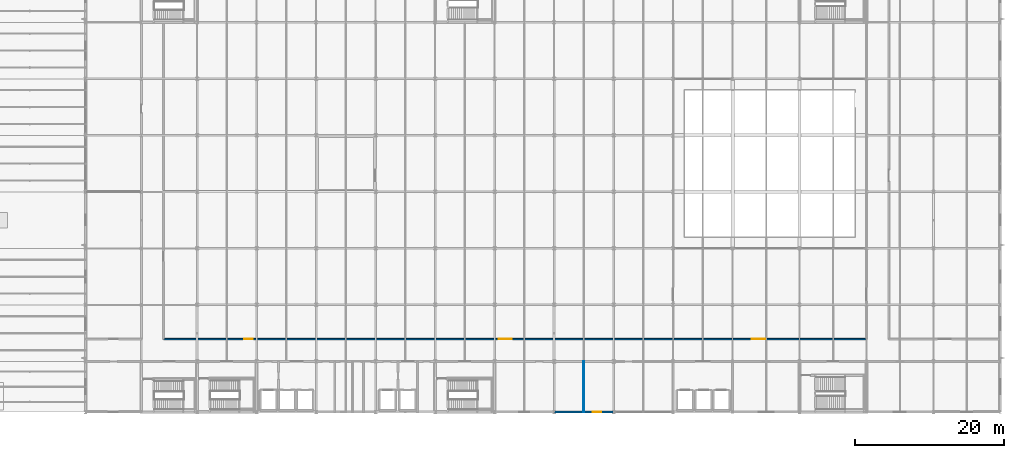
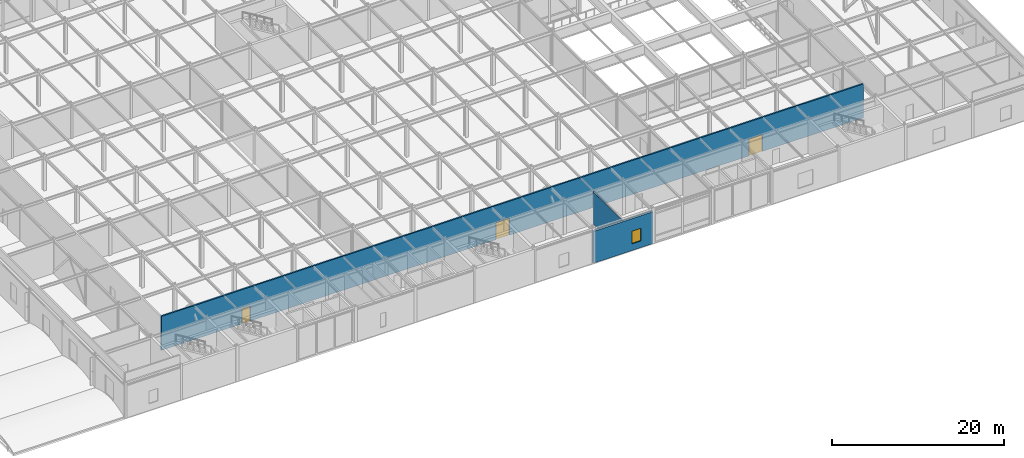
# One storey, part 60 of 79: 3 doors, 3 walls, 1 window, 4 openings.
"""IFC4 building model written with IfcOpenShell, lengths in metres."""

from ifc_helpers import new_model, si_unit, direction, frame, frame_2d, origin, place, context, subcontext, project, spatial, rectangle, extrude, material, layer, layer_set, type_object, element, fill, save


model = new_model("IFC4")

# Units and contexts
model_context = context("Model", 3, precision=1e-05, world=origin(), true_north=direction((0.0, 1.0)))
body_context = subcontext(model_context, "Body", "Model", "MODEL_VIEW")
ifc_project = project(units=[si_unit("LENGTHUNIT", "METRE"), si_unit("AREAUNIT", "SQUARE_METRE"), si_unit("VOLUMEUNIT", "CUBIC_METRE"), si_unit("PLANEANGLEUNIT", "RADIAN"), si_unit("MASSUNIT", "GRAM", prefix="KILO")], contexts=[model_context])

# Site, building, storey
site_placement = place(None, origin())
site = spatial("IfcSite", under=ifc_project, at=site_placement, CompositionType="ELEMENT")
building_placement = place(site_placement, origin())
building = spatial("IfcBuilding", under=site, at=building_placement, Name="Shalkamar Park Central Library", CompositionType="ELEMENT")
storey_placement = place(building_placement, frame((0.0, 0.0, 10.5)))
storey = spatial("IfcBuildingStorey", under=building, at=storey_placement, Name="L03", CompositionType="ELEMENT", Elevation=10.5)

# Wall, openings, doors
ifc_material_1 = material(Name="Fire-rated corridor partition wall", Category="masonry")
ifc_layer_1 = layer(ifc_material_1, 0.199951171875)
ifc_layer_set_1 = layer_set([ifc_layer_1], Name="CorridorFireWall_200")
wall_type_1 = type_object("IfcWallType", Name="Corridor Fire Wall 200", PredefinedType="PARTITIONING", material=ifc_layer_set_1)
wall_1_placement = place(storey_placement, frame((160.5, 258.199951171875, 0.0), z_axis=(0.0, 0.0, 1.0), x_axis=(1.0, 0.0, 0.0)))
wall_1 = element("IfcWall", 1, at=wall_1_placement, inside=storey, type_object=wall_type_1, Name="Interior Partition WL-INT-L03-021", PredefinedType="PARTITIONING", context=body_context, shape_type="SweptSolid", body=[
    extrude(rectangle(XDim=94.5, YDim=0.199951171875, at=frame_2d((47.25, 0.0))), origin(), (0.0, 0.0, 1.0), 4.840087890625),
])
opening_1_placement = place(wall_1_placement, frame((10.860107421875, 0.0, 0.0)))
opening_1 = element("IfcOpeningElement", 2, at=opening_1_placement, cuts=wall_1, Name="Opening DR-L03-020", PredefinedType="OPENING", context=body_context, shape_type="SweptSolid", body=[
    extrude(rectangle(XDim=1.10009765625, YDim=2.10009765625, at=frame_2d((0.550048828125, 1.050048828125))), frame((0.0, 0.11474609375, 0.0), z_axis=(0.0, -1.0, 0.0), x_axis=(1.0, 0.0, 0.0)), (0.0, 0.0, 1.0), 0.229736328125),
])
opening_2_placement = place(wall_1_placement, frame((45.0400390625, 0.0, 0.0)))
opening_2 = element("IfcOpeningElement", 3, at=opening_2_placement, cuts=wall_1, Name="Opening DR-L03-021", PredefinedType="OPENING", context=body_context, shape_type="SweptSolid", body=[
    extrude(rectangle(XDim=1.800048828125, YDim=2.39990234375, at=frame_2d((0.89990234375, 1.199951171875))), frame((0.0, 0.11474609375, 0.0), z_axis=(0.0, -1.0, 0.0), x_axis=(1.0, 0.0, 0.0)), (0.0, 0.0, 1.0), 0.229736328125),
])
opening_3_placement = place(wall_1_placement, frame((79.10009765625, 0.0, 0.0)))
opening_3 = element("IfcOpeningElement", 4, at=opening_3_placement, cuts=wall_1, Name="Opening DR-L03-022", PredefinedType="OPENING", context=body_context, shape_type="SweptSolid", body=[
    extrude(rectangle(XDim=1.800048828125, YDim=2.39990234375, at=frame_2d((0.89990234375, 1.199951171875))), frame((0.0, 0.11474609375, 0.0), z_axis=(0.0, -1.0, 0.0), x_axis=(1.0, 0.0, 0.0)), (0.0, 0.0, 1.0), 0.229736328125),
])
ifc_material_2 = material(Name="Steel S355", Category="steel")
door_type_1 = type_object("IfcDoorType", Name="Interior Door Double 1800x2400", OperationType="DOUBLE_DOOR_SINGLE_SWING", PredefinedType="DOOR", material=ifc_material_2)
door_1_placement = place(opening_2_placement, origin())
door_1 = element("IfcDoor", 5, at=door_1_placement, inside=storey, type_object=door_type_1, Name="Open Subject Stacks South Door", OperationType="DOUBLE_DOOR_SINGLE_SWING", OverallHeight=2.39990234375, OverallWidth=1.800048828125, PredefinedType="DOOR", context=body_context, shape_type="SweptSolid", body=[
    extrude(rectangle(XDim=1.800048828125, YDim=2.39990234375, at=frame_2d((0.89990234375, 1.199951171875))), frame((0.0, 0.02490234375, 0.0), z_axis=(0.0, -1.0, 0.0), x_axis=(1.0, 0.0, 0.0)), (0.0, 0.0, 1.0), 0.050048828125),
])
fill(opening_2, door_1)
door_2_placement = place(opening_3_placement, origin())
door_2 = element("IfcDoor", 6, at=door_2_placement, inside=storey, type_object=door_type_1, Name="Atrium L03 South Door", OperationType="DOUBLE_DOOR_SINGLE_SWING", OverallHeight=2.39990234375, OverallWidth=1.800048828125, PredefinedType="DOOR", context=body_context, shape_type="SweptSolid", body=[
    extrude(rectangle(XDim=1.800048828125, YDim=2.39990234375, at=frame_2d((0.89990234375, 1.199951171875))), frame((0.0, 0.02490234375, 0.0), z_axis=(0.0, -1.0, 0.0), x_axis=(1.0, 0.0, 0.0)), (0.0, 0.0, 1.0), 0.050048828125),
])
fill(opening_3, door_2)
door_type_2 = type_object("IfcDoorType", Name="Interior Door Single 1100x2100", OperationType="NOTDEFINED", PredefinedType="DOOR", material=ifc_material_2)
door_3_placement = place(opening_1_placement, origin())
door_3 = element("IfcDoor", 7, at=door_3_placement, inside=storey, type_object=door_type_2, Name="Microchemistry Lab Door", OperationType="SINGLE_SWING_LEFT", OverallHeight=2.10009765625, OverallWidth=1.10009765625, PredefinedType="DOOR", context=body_context, shape_type="SweptSolid", body=[
    extrude(rectangle(XDim=1.10009765625, YDim=2.10009765625, at=frame_2d((0.550048828125, 1.050048828125))), frame((0.0, 0.02490234375, 0.0), z_axis=(0.0, -1.0, 0.0), x_axis=(1.0, 0.0, 0.0)), (0.0, 0.0, 1.0), 0.050048828125),
])
fill(opening_1, door_3)

# Wall
ifc_material_3 = material(Name="Lightweight acoustic stud partition", Category="masonry")
ifc_layer_2 = layer(ifc_material_3, 0.1201171875)
ifc_layer_set_2 = layer_set([ifc_layer_2], Name="StandardPartition_120")
wall_type_2 = type_object("IfcWallType", Name="Standard Partition 120", PredefinedType="PARTITIONING", material=ifc_layer_set_2)
wall_2_placement = place(storey_placement, frame((217.0, 248.39990234375, 0.0), z_axis=(0.0, 0.0, 1.0), x_axis=(0.0, 1.0, 0.0)))
element("IfcWall", 8, at=wall_2_placement, inside=storey, type_object=wall_type_2, Name="Interior Partition WL-INT-L03-015", PredefinedType="PARTITIONING", context=body_context, shape_type="SweptSolid", body=[
    extrude(rectangle(XDim=6.800048828125, YDim=0.1201171875, at=frame_2d((3.39990234375, 0.0))), origin(), (0.0, 0.0, 1.0), 4.597900390625),
])

# Wall, opening, window
ifc_material_4 = material(Name="Travertine insulated rainscreen", Category="masonry")
ifc_layer_3 = layer(ifc_material_4, 0.2900390625)
ifc_layer_set_3 = layer_set([ifc_layer_3], Name="TravertineTerracottaWall_290")
wall_type_3 = type_object("IfcWallType", Name="Travertine Terracotta Wall 290", PredefinedType="SOLIDWALL", material=ifc_layer_set_3)
wall_3_placement = place(storey_placement, frame((213.006103515625, 248.39990234375, 0.0), z_axis=(0.0, 0.0, 1.0), x_axis=(1.0, 0.0, 0.0)))
wall_3 = element("IfcWall", 9, at=wall_3_placement, inside=storey, type_object=wall_type_3, Name="Exterior Facade Wall WL-EXT-L03-088", PredefinedType="SOLIDWALL", context=body_context, shape_type="SweptSolid", body=[
    extrude(rectangle(XDim=7.98779296875, YDim=0.2900390625, at=frame_2d((3.993896484375, 0.0))), origin(), (0.0, 0.0, 1.0), 4.528076171875),
])
opening_4_placement = place(wall_3_placement, frame((5.166015625, 0.0, 0.949951171875)))
opening_4 = element("IfcOpeningElement", 10, at=opening_4_placement, cuts=wall_3, Name="Opening WN-16", PredefinedType="OPENING", context=body_context, shape_type="SweptSolid", body=[
    extrude(rectangle(XDim=1.199951171875, YDim=1.800048828125, at=frame_2d((0.60009765625, 0.89990234375))), frame((0.0, 0.159912109375, 0.0), z_axis=(0.0, -1.0, 0.0), x_axis=(1.0, 0.0, 0.0)), (0.0, 0.0, 1.0), 0.31982421875),
])
ifc_material_5 = material(Name="Thermally broken aluminium and triple low-e glass", Category="glass")
window_type = type_object("IfcWindowType", Name="Tower Window 1200x1800", PartitioningType="SINGLE_PANEL", PredefinedType="WINDOW", material=ifc_material_5)
window_placement = place(opening_4_placement, origin())
window = element("IfcWindow", 11, at=window_placement, inside=storey, type_object=window_type, Name="Facade Window WN-L03-052", OverallHeight=1.800048828125, OverallWidth=1.199951171875, PartitioningType="SINGLE_PANEL", PredefinedType="WINDOW", context=body_context, shape_type="SweptSolid", body=[
    extrude(rectangle(XDim=1.199951171875, YDim=1.800048828125, at=frame_2d((0.60009765625, 0.89990234375))), frame((0.0, 0.030029296875, 0.0), z_axis=(0.0, -1.0, 0.0), x_axis=(1.0, 0.0, 0.0)), (0.0, 0.0, 1.0), 0.06005859375),
])
fill(opening_4, window)

save(model, "model.ifc")
